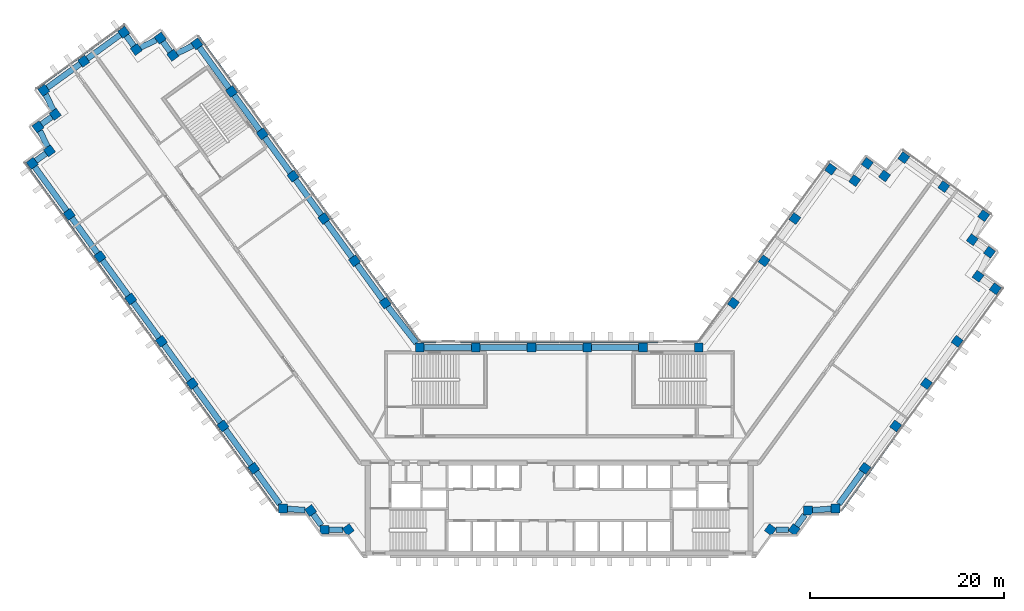
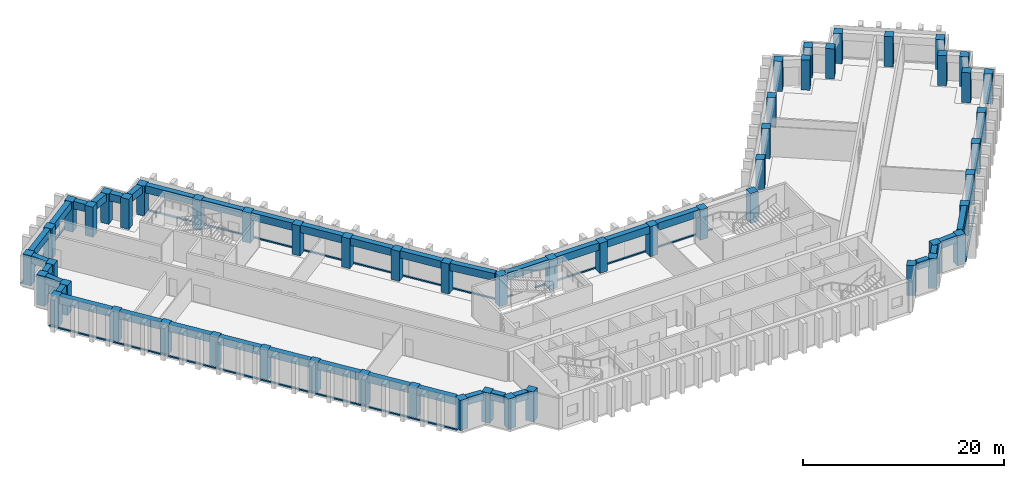
"""IFC4 building model written with IfcOpenShell, lengths in metres."""

from ifc_helpers import new_model, si_unit, direction, frame, origin, origin_2d, place, context, subcontext, project, spatial, rectangle, extrude, material, material_profile, profile_set, type_object, element, aggregate, save


model = new_model("IFC4")

# Units and contexts
model_context = context("Model", 3, precision=1e-05, world=origin(), true_north=direction((0.0, 1.0)))
body_context = subcontext(model_context, "Body", "Model", "MODEL_VIEW")
ifc_project = project(units=[si_unit("LENGTHUNIT", "METRE"), si_unit("AREAUNIT", "SQUARE_METRE"), si_unit("VOLUMEUNIT", "CUBIC_METRE"), si_unit("PLANEANGLEUNIT", "RADIAN"), si_unit("MASSUNIT", "GRAM", prefix="KILO")], contexts=[model_context])

# Site, building, storey
site_placement = place(None, origin())
site = spatial("IfcSite", under=ifc_project, at=site_placement, CompositionType="ELEMENT")
building_placement = place(site_placement, origin())
building = spatial("IfcBuilding", under=site, at=building_placement, Name="Quipu Civic Tower", CompositionType="ELEMENT")
storey_1_placement = place(building_placement, frame((0.0, 0.0, 117.0)))
storey_1 = spatial("IfcBuildingStorey", under=building, at=storey_1_placement, Name="L27", CompositionType="ELEMENT", Elevation=117.0)

# Columns
ifc_material_1 = material(Name="Concrete C60/75", Category="concrete")
ifc_material_profile_1 = material_profile(ifc_material_1, rectangle(XDim=0.89990234375, YDim=0.89990234375, at=origin_2d()), Name="RC900x900")
ifc_profile_set_1 = profile_set([ifc_material_profile_1], Name="Concrete C60/75")
column_type = type_object("IfcColumnType", Name="Perimeter column RC 900x900 C60/75", PredefinedType="COLUMN", material=ifc_profile_set_1)
for number, where, z_axis, x_axis, name in (
    (1, (-17.9736328125, 15.074951171875, 0.0), (0.0, 0.0, 1.0), (-0.587785252292, 0.809016994375, 0.0), "Column L27 W-IN-01"),
    (2, (-21.1474609375, 19.44384765625, 0.0), (0.0, 0.0, 1.0), (-0.587785252292, 0.809016994375, 0.0), "Column L27 W-IN-02"),
    (3, (-24.3212890625, 23.8125, 0.0), (0.0, 0.0, 1.0), (-0.587785252292, 0.809016994375, 0.0), "Column L27 W-IN-03"),
    (4, (-27.4951171875, 28.181396484375, 0.0), (0.0, 0.0, 1.0), (-0.587785252292, 0.809016994375, 0.0), "Column L27 W-IN-04"),
    (5, (-30.6689453125, 32.55029296875, 0.0), (0.0, 0.0, 1.0), (-0.587785252292, 0.809016994375, 0.0), "Column L27 W-IN-05"),
    (6, (-33.843017578125, 36.919189453125, 0.0), (0.0, 0.0, 1.0), (-0.587785252292, 0.809016994375, 0.0), "Column L27 W-IN-06"),
    (7, (-37.425048828125, 41.85009765625, 0.0), (0.0, 0.0, 1.0), (-0.587785252292, 0.809016994375, 0.0), "Column L27 T-Wi.0-W50"),
    (8, (-39.905517578125, 40.666015625, 0.0), (0.0, 0.0, 1.0), (-0.587785252292, 0.809016994375, 0.0), "Column L27 T-Wi.1-W50"),
    (9, (-41.199951171875, 42.445068359375, 0.0), (0.0, 0.0, 1.0), (-0.587785252292, 0.809016994375, 0.0), "Column L27 T-Wi.2-W50"),
    (10, (-43.674560546875, 41.264892578125, 0.0), (0.0, 0.0, 1.0), (-0.809016994375, -0.587785252292, 0.0), "Column L27 T-Wi.3-W50"),
    (11, (-44.969970703125, 43.044921875, 0.0), (0.0, 0.0, 1.0), (-0.809016994375, -0.587785252292, 0.0), "Column L27 T-Wi.4-W50"),
    (12, (-49.095703125, 40.046875, 0.0), (0.0, 0.0, 1.0), (-0.809016994375, -0.587785252292, 0.0), "Column L27 TIP-W-01-W50"),
    (13, (-53.219970703125, 37.050048828125, 0.0), (0.0, 0.0, 1.0), (0.587785252292, -0.809016994375, 0.0), "Column L27 T-Wo.0-W50"),
    (14, (-52.038818359375, 34.571044921875, 0.0), (0.0, 0.0, 1.0), (-0.809016994375, -0.587785252292, 0.0), "Column L27 T-Wo.1-W50"),
    (15, (-53.820068359375, 33.27490234375, 0.0), (0.0, 0.0, 1.0), (0.587785252292, -0.809016994375, 0.0), "Column L27 T-Wo.2-W50"),
    (16, (-52.635986328125, 30.799560546875, 0.0), (0.0, 0.0, 1.0), (-0.809016994375, -0.587785252292, 0.0), "Column L27 T-Wo.3-W50"),
    (17, (-54.4150390625, 29.5048828125, 0.0), (0.0, 0.0, 1.0), (0.587785252292, -0.809016994375, 0.0), "Column L27 T-Wo.4-W50"),
    (18, (-50.59228515625, 24.243408203125, 0.0), (0.0, 0.0, 1.0), (0.587785252292, -0.809016994375, 0.0), "Column L27 W-OUT-07"),
    (19, (-47.41845703125, 19.874755859375, 0.0), (0.0, 0.0, 1.0), (0.587785252292, -0.809016994375, 0.0), "Column L27 W-OUT-06"),
    (20, (-44.244384765625, 15.506103515625, 0.0), (0.0, 0.0, 1.0), (0.587785252292, -0.809016994375, 0.0), "Column L27 W-OUT-05"),
    (21, (-41.0703125, 11.137451171875, 0.0), (0.0, 0.0, 1.0), (0.587785252292, -0.809016994375, 0.0), "Column L27 W-OUT-04"),
    (22, (-37.896240234375, 6.768798828125, 0.0), (0.0, 0.0, 1.0), (0.587785252292, -0.809016994375, 0.0), "Column L27 W-OUT-03"),
    (23, (-34.722412109375, 2.39990234375, 0.0), (0.0, 0.0, 1.0), (0.587785252292, -0.809016994375, 0.0), "Column L27 W-OUT-02"),
    (24, (-31.54833984375, -1.96875, 0.0), (0.0, 0.0, 1.0), (0.587785252292, -0.809016994375, 0.0), "Column L27 W-OUT-01"),
    (25, (-28.52490234375, -6.1298828125, 0.0), (0.0, 0.0, 1.0), (1.0, 0.0, 0.0), "Column L27 J-Wo.0"),
    (26, (-25.67431640625, -6.3369140625, 0.0), (0.0, 0.0, 1.0), (0.587785252292, -0.809016994375, 0.0), "Column L27 J-Wo.1"),
    (27, (-24.235107421875, -8.31494140625, 0.0), (0.0, 0.0, 1.0), (1.0, 0.0, 0.0), "Column L27 J-Wo.2"),
    (28, (-21.791748046875, -8.31494140625, 0.0), (0.0, 0.0, 1.0), (0.587785252292, -0.809016994375, 0.0), "Column L27 J-Wo.3"),
    (29, (21.791748046875, -8.31494140625, 0.0), (0.0, 0.0, 1.0), (0.587785252292, 0.809016994375, 0.0), "Column L27 J-Eo.1"),
    (30, (24.235107421875, -8.31494140625, 0.0), (0.0, 0.0, 1.0), (0.587785252292, 0.809016994375, 0.0), "Column L27 J-Eo.2"),
    (31, (25.67431640625, -6.3369140625, 0.0), (0.0, 0.0, 1.0), (1.0, 0.0, 0.0), "Column L27 J-Eo.3"),
    (32, (28.52490234375, -6.1298828125, 0.0), (0.0, 0.0, 1.0), (1.0, 0.0, 0.0), "Column L27 J-Eo.4"),
    (33, (31.54833984375, -1.96875, 0.0), (0.0, 0.0, 1.0), (0.587785252292, 0.809016994375, 0.0), "Column L27 E-OUT-01"),
    (34, (34.722412109375, 2.39990234375, 0.0), (0.0, 0.0, 1.0), (0.587785252292, 0.809016994375, 0.0), "Column L27 E-OUT-02"),
    (35, (37.896240234375, 6.768798828125, 0.0), (0.0, 0.0, 1.0), (0.587785252292, 0.809016994375, 0.0), "Column L27 E-OUT-03"),
    (36, (41.0703125, 11.137451171875, 0.0), (0.0, 0.0, 1.0), (0.587785252292, 0.809016994375, 0.0), "Column L27 E-OUT-04"),
    (37, (45.010009765625, 16.56005859375, 0.0), (0.0, 0.0, 1.0), (0.587785252292, 0.809016994375, 0.0), "Column L27 T-Eo.0-E34"),
    (38, (43.23095703125, 17.8544921875, 0.0), (0.0, 0.0, 1.0), (0.587785252292, 0.809016994375, 0.0), "Column L27 T-Eo.1-E34"),
    (39, (44.4150390625, 20.3349609375, 0.0), (0.0, 0.0, 1.0), (0.587785252292, 0.809016994375, 0.0), "Column L27 T-Eo.2-E34"),
    (40, (42.635009765625, 21.626220703125, 0.0), (0.0, 0.0, 1.0), (-0.809016994375, 0.587785252292, 0.0), "Column L27 T-Eo.3-E34"),
    (41, (43.81494140625, 24.10498046875, 0.0), (0.0, 0.0, 1.0), (-0.809016994375, 0.587785252292, 0.0), "Column L27 T-Eo.4-E34"),
    (42, (39.690673828125, 27.10205078125, 0.0), (0.0, 0.0, 1.0), (-0.809016994375, 0.587785252292, 0.0), "Column L27 TIP-E-01-E34"),
    (43, (35.56494140625, 30.10009765625, 0.0), (0.0, 0.0, 1.0), (-0.587785252292, -0.809016994375, 0.0), "Column L27 T-Ei.0-E34"),
    (44, (33.573974609375, 28.20947265625, 0.0), (0.0, 0.0, 1.0), (-0.809016994375, 0.587785252292, 0.0), "Column L27 T-Ei.1-E34"),
    (45, (31.794921875, 29.5, 0.0), (0.0, 0.0, 1.0), (-0.587785252292, -0.809016994375, 0.0), "Column L27 T-Ei.2-E34"),
    (46, (30.498779296875, 27.72265625, 0.0), (0.0, 0.0, 1.0), (-0.809016994375, 0.587785252292, 0.0), "Column L27 T-Ei.3-E34"),
    (47, (28.02001953125, 28.905029296875, 0.0), (0.0, 0.0, 1.0), (-0.809016994375, 0.587785252292, 0.0), "Column L27 T-Ei.4-E34"),
    (48, (24.3212890625, 23.8125, 0.0), (0.0, 0.0, 1.0), (-0.587785252292, -0.809016994375, 0.0), "Column L27 E-IN-03"),
    (49, (21.1474609375, 19.44384765625, 0.0), (0.0, 0.0, 1.0), (-0.587785252292, -0.809016994375, 0.0), "Column L27 E-IN-02"),
    (50, (17.9736328125, 15.074951171875, 0.0), (0.0, 0.0, 1.0), (-0.587785252292, -0.809016994375, 0.0), "Column L27 E-IN-01"),
    (51, (14.395263671875, 10.5, 0.0), (0.0, 0.0, 1.0), (-1.0, 0.0, 0.0), "Column L27 J-Ei.0"),
    (52, (8.63720703125, 10.5, 0.0), (0.0, 0.0, 1.0), (-1.0, 0.0, 0.0), "Column L27 FRONT-01"),
    (53, (2.87890625, 10.5, 0.0), (0.0, 0.0, 1.0), (-1.0, 0.0, 0.0), "Column L27 FRONT-02"),
    (54, (-2.87890625, 10.5, 0.0), (0.0, 0.0, 1.0), (-1.0, 0.0, 0.0), "Column L27 FRONT-03"),
    (55, (-8.63720703125, 10.5, 0.0), (0.0, 0.0, 1.0), (-1.0, 0.0, 0.0), "Column L27 FRONT-04"),
    (56, (-14.395263671875, 10.5, 0.0), (0.0, 0.0, 1.0), (-1.0, 0.0, 0.0), "Column L27 J-Wi.0"),
):
    element("IfcColumn", number, at=place(storey_1_placement, frame(where, z_axis=z_axis, x_axis=x_axis)), inside=storey_1, type_object=column_type, Name=name, PredefinedType="COLUMN", context=body_context, shape_type="SweptSolid", body=[
        extrude(rectangle(XDim=0.89990234375, YDim=0.89990234375, at=origin_2d()), origin(), (0.0, 0.0, 1.0), 3.64990234375),
    ])

# Beams
ifc_material_2 = material(Name="Concrete C50/60", Category="concrete")
ifc_material_profile_2 = material_profile(ifc_material_2, rectangle(XDim=0.60009765625, YDim=0.89990234375, at=origin_2d()), Name="RC600x900")
ifc_profile_set_2 = profile_set([ifc_material_profile_2], Name="Concrete C50/60")
beam_type = type_object("IfcBeamType", Name="Spandrel beam RC 600x900 C50/60", PredefinedType="SPANDREL", material=ifc_profile_set_2)
for number, where, z_axis, x_axis, name in (
    (57, (-18.238037109375, 15.43896484375, 3.199951171875), (-0.587716763865, 0.809066749701, 0.0), (-0.809066749701, -0.587716763865, 0.0), "Spandrel beam L27 W-IN-01 to W-IN-02"),
    (58, (-21.411865234375, 19.807861328125, 3.199951171875), (-0.587778073121, 0.809022210299, 0.0), (-0.809022210299, -0.587778073121, 0.0), "Spandrel beam L27 W-IN-02 to W-IN-03"),
    (59, (-24.585693359375, 24.1767578125, 3.199951171875), (-0.587778073121, 0.809022210299, 0.0), (-0.809022210299, -0.587778073121, 0.0), "Spandrel beam L27 W-IN-03 to W-IN-04"),
    (60, (-27.759765625, 28.545654296875, 3.199951171875), (-0.587742561851, 0.809048009076, 0.0), (-0.809048009076, -0.587742561851, 0.0), "Spandrel beam L27 W-IN-04 to W-IN-05"),
    (61, (-30.93359375, 32.914306640625, 3.199951171875), (-0.587716763865, 0.809066749701, 0.0), (-0.809066749701, -0.587716763865, 0.0), "Spandrel beam L27 W-IN-05 to W-IN-06"),
):
    element("IfcBeam", number, at=place(storey_1_placement, frame(where, z_axis=z_axis, x_axis=x_axis)), inside=storey_1, type_object=beam_type, Name=name, PredefinedType="SPANDREL", context=body_context, shape_type="SweptSolid", body=[
        extrude(rectangle(XDim=0.60009765625, YDim=0.89990234375, at=origin_2d()), origin(), (0.0, 0.0, 1.0), 4.5),
    ])
beam_1_placement = place(storey_1_placement, frame((-34.107421875, 37.283203125, 3.199951171875), z_axis=(-0.587732861365, 0.80905505602, 0.0), x_axis=(-0.80905505602, -0.587732861365, 0.0)))
element("IfcBeam", 62, at=beam_1_placement, inside=storey_1, type_object=beam_type, Name="Spandrel beam L27 W-IN-06 to T-Wi.0-W50", PredefinedType="SPANDREL", context=body_context, shape_type="SweptSolid", body=[
    extrude(rectangle(XDim=0.60009765625, YDim=0.89990234375, at=origin_2d()), origin(), (0.0, 0.0, 1.0), 5.194580078125),
])
beam_2_placement = place(storey_1_placement, frame((-37.837890625, 41.65283203125, 3.199951171875), z_axis=(-0.90245397739, -0.430786279601, 0.0), x_axis=(0.430786279601, -0.90245397739, 0.0)))
element("IfcBeam", 63, at=beam_2_placement, inside=storey_1, type_object=beam_type, Name="Spandrel beam L27 T-Wi.0-W50 to T-Wi.1-W50", PredefinedType="SPANDREL", context=body_context, shape_type="SweptSolid", body=[
    extrude(rectangle(XDim=0.60009765625, YDim=0.89990234375, at=origin_2d()), origin(), (0.0, 0.0, 1.0), 1.83349609375),
])
beam_3_placement = place(storey_1_placement, frame((-40.170166015625, 41.02978515625, 3.199951171875), z_axis=(-0.588461937499, 0.808524921146, 0.0), x_axis=(-0.808524921146, -0.588461937499, 0.0)))
element("IfcBeam", 64, at=beam_3_placement, inside=storey_1, type_object=beam_type, Name="Spandrel beam L27 T-Wi.1-W50 to T-Wi.2-W50", PredefinedType="SPANDREL", context=body_context, shape_type="SweptSolid", body=[
    extrude(rectangle(XDim=0.60009765625, YDim=0.89990234375, at=origin_2d()), origin(), (0.0, 0.0, 1.0), 1.30029296875),
])
beam_4_placement = place(storey_1_placement, frame((-41.613037109375, 42.248046875, 3.199951171875), z_axis=(-0.902613270121, -0.430452418511, 0.0), x_axis=(0.430452418511, -0.902613270121, 0.0)))
element("IfcBeam", 65, at=beam_4_placement, inside=storey_1, type_object=beam_type, Name="Spandrel beam L27 T-Wi.2-W50 to T-Wi.3-W50", PredefinedType="SPANDREL", context=body_context, shape_type="SweptSolid", body=[
    extrude(rectangle(XDim=0.60009765625, YDim=0.89990234375, at=origin_2d()), origin(), (0.0, 0.0, 1.0), 1.826416015625),
])
beam_5_placement = place(storey_1_placement, frame((-43.939453125, 41.628662109375, 3.199951171875), z_axis=(-0.588383572423, 0.808581951136, 0.0), x_axis=(-0.808581951136, -0.588383572423, 0.0)))
element("IfcBeam", 66, at=beam_5_placement, inside=storey_1, type_object=beam_type, Name="Spandrel beam L27 T-Wi.3-W50 to T-Wi.4-W50", PredefinedType="SPANDREL", context=body_context, shape_type="SweptSolid", body=[
    extrude(rectangle(XDim=0.60009765625, YDim=0.89990234375, at=origin_2d()), origin(), (0.0, 0.0, 1.0), 1.3017578125),
])
beam_6_placement = place(storey_1_placement, frame((-45.333984375, 42.780517578125, 3.199951171875), z_axis=(-0.808969789945, -0.58785021813, 0.0), x_axis=(0.58785021813, -0.808969789945, 0.0)))
element("IfcBeam", 67, at=beam_6_placement, inside=storey_1, type_object=beam_type, Name="Spandrel beam L27 T-Wi.4-W50 to TIP-W-01-W50", PredefinedType="SPANDREL", context=body_context, shape_type="SweptSolid", body=[
    extrude(rectangle(XDim=0.60009765625, YDim=0.89990234375, at=origin_2d()), origin(), (0.0, 0.0, 1.0), 4.199951171875),
])
beam_7_placement = place(storey_1_placement, frame((-49.459716796875, 39.782470703125, 3.199951171875), z_axis=(-0.808959834407, -0.587863918196, 0.0), x_axis=(0.587863918196, -0.808959834407, 0.0)))
element("IfcBeam", 68, at=beam_7_placement, inside=storey_1, type_object=beam_type, Name="Spandrel beam L27 TIP-W-01-W50 to T-Wo.0-W50", PredefinedType="SPANDREL", context=body_context, shape_type="SweptSolid", body=[
    extrude(rectangle(XDim=0.60009765625, YDim=0.89990234375, at=origin_2d()), origin(), (0.0, 0.0, 1.0), 4.1982421875),
])
beam_8_placement = place(storey_1_placement, frame((-53.023193359375, 36.63671875, 3.199951171875), z_axis=(0.430166558323, -0.902749540072, 0.0), x_axis=(0.902749540072, 0.430166558323, 0.0)))
element("IfcBeam", 69, at=beam_8_placement, inside=storey_1, type_object=beam_type, Name="Spandrel beam L27 T-Wo.0-W50 to T-Wo.1-W50", PredefinedType="SPANDREL", context=body_context, shape_type="SweptSolid", body=[
    extrude(rectangle(XDim=0.60009765625, YDim=0.89990234375, at=origin_2d()), origin(), (0.0, 0.0, 1.0), 1.830322265625),
])
beam_9_placement = place(storey_1_placement, frame((-52.40283203125, 34.306396484375, 3.199951171875), z_axis=(-0.808509099783, -0.588483674853, 0.0), x_axis=(0.588483674853, -0.808509099783, 0.0)))
element("IfcBeam", 70, at=beam_9_placement, inside=storey_1, type_object=beam_type, Name="Spandrel beam L27 T-Wo.1-W50 to T-Wo.2-W50", PredefinedType="SPANDREL", context=body_context, shape_type="SweptSolid", body=[
    extrude(rectangle(XDim=0.60009765625, YDim=0.89990234375, at=origin_2d()), origin(), (0.0, 0.0, 1.0), 1.302734375),
])
beam_10_placement = place(storey_1_placement, frame((-53.62255859375, 32.8623046875, 3.199951171875), z_axis=(0.431446050156, -0.902138739776, 0.0), x_axis=(0.902138739776, 0.431446050156, 0.0)))
element("IfcBeam", 71, at=beam_10_placement, inside=storey_1, type_object=beam_type, Name="Spandrel beam L27 T-Wo.2-W50 to T-Wo.3-W50", PredefinedType="SPANDREL", context=body_context, shape_type="SweptSolid", body=[
    extrude(rectangle(XDim=0.60009765625, YDim=0.89990234375, at=origin_2d()), origin(), (0.0, 0.0, 1.0), 1.828857421875),
])
beam_11_placement = place(storey_1_placement, frame((-53.0, 30.53466796875, 3.199951171875), z_axis=(-0.808549242423, -0.588428519514, 0.0), x_axis=(0.588428519514, -0.808549242423, 0.0)))
element("IfcBeam", 72, at=beam_11_placement, inside=storey_1, type_object=beam_type, Name="Spandrel beam L27 T-Wo.3-W50 to T-Wo.4-W50", PredefinedType="SPANDREL", context=body_context, shape_type="SweptSolid", body=[
    extrude(rectangle(XDim=0.60009765625, YDim=0.89990234375, at=origin_2d()), origin(), (0.0, 0.0, 1.0), 1.2998046875),
])
beam_12_placement = place(storey_1_placement, frame((-54.150390625, 29.140869140625, 3.199951171875), z_axis=(0.587772657145, -0.809026145135, 0.0), x_axis=(0.809026145135, 0.587772657145, 0.0)))
element("IfcBeam", 73, at=beam_12_placement, inside=storey_1, type_object=beam_type, Name="Spandrel beam L27 T-Wo.4-W50 to W-OUT-07", PredefinedType="SPANDREL", context=body_context, shape_type="SweptSolid", body=[
    extrude(rectangle(XDim=0.60009765625, YDim=0.89990234375, at=origin_2d()), origin(), (0.0, 0.0, 1.0), 5.603271484375),
])
beam_13_placement = place(storey_1_placement, frame((-50.327880859375, 23.87939453125, 3.199951171875), z_axis=(0.587778073121, -0.809022210299, 0.0), x_axis=(0.809022210299, 0.587778073121, 0.0)))
element("IfcBeam", 74, at=beam_13_placement, inside=storey_1, type_object=beam_type, Name="Spandrel beam L27 W-OUT-07 to W-OUT-06", PredefinedType="SPANDREL", context=body_context, shape_type="SweptSolid", body=[
    extrude(rectangle(XDim=0.60009765625, YDim=0.89990234375, at=origin_2d()), origin(), (0.0, 0.0, 1.0), 4.5),
])
beam_14_placement = place(storey_1_placement, frame((-47.15380859375, 19.5107421875, 3.199951171875), z_axis=(0.587803872688, -0.809003465539, 0.0), x_axis=(0.809003465539, 0.587803872688, 0.0)))
element("IfcBeam", 75, at=beam_14_placement, inside=storey_1, type_object=beam_type, Name="Spandrel beam L27 W-OUT-06 to W-OUT-05", PredefinedType="SPANDREL", context=body_context, shape_type="SweptSolid", body=[
    extrude(rectangle(XDim=0.60009765625, YDim=0.89990234375, at=origin_2d()), origin(), (0.0, 0.0, 1.0), 4.499755859375),
])
for number, where, z_axis, x_axis, name in (
    (76, (-43.97998046875, 15.14208984375, 3.199951171875), (0.587778073121, -0.809022210299, 0.0), (0.809022210299, 0.587778073121, 0.0), "Spandrel beam L27 W-OUT-05 to W-OUT-04"),
    (77, (-40.805908203125, 10.7734375, 3.199951171875), (0.587778073121, -0.809022210299, 0.0), (0.809022210299, 0.587778073121, 0.0), "Spandrel beam L27 W-OUT-04 to W-OUT-03"),
):
    element("IfcBeam", number, at=place(storey_1_placement, frame(where, z_axis=z_axis, x_axis=x_axis)), inside=storey_1, type_object=beam_type, Name=name, PredefinedType="SPANDREL", context=body_context, shape_type="SweptSolid", body=[
        extrude(rectangle(XDim=0.60009765625, YDim=0.89990234375, at=origin_2d()), origin(), (0.0, 0.0, 1.0), 4.5),
    ])
beam_15_placement = place(storey_1_placement, frame((-37.6318359375, 6.404541015625, 3.199951171875), z_axis=(0.587803872688, -0.809003465539, 0.0), x_axis=(0.809003465539, 0.587803872688, 0.0)))
element("IfcBeam", 78, at=beam_15_placement, inside=storey_1, type_object=beam_type, Name="Spandrel beam L27 W-OUT-03 to W-OUT-02", PredefinedType="SPANDREL", context=body_context, shape_type="SweptSolid", body=[
    extrude(rectangle(XDim=0.60009765625, YDim=0.89990234375, at=origin_2d()), origin(), (0.0, 0.0, 1.0), 4.499755859375),
])
beam_16_placement = place(storey_1_placement, frame((-34.457763671875, 2.035888671875, 3.199951171875), z_axis=(0.587778073121, -0.809022210299, 0.0), x_axis=(0.809022210299, 0.587778073121, 0.0)))
element("IfcBeam", 79, at=beam_16_placement, inside=storey_1, type_object=beam_type, Name="Spandrel beam L27 W-OUT-02 to W-OUT-01", PredefinedType="SPANDREL", context=body_context, shape_type="SweptSolid", body=[
    extrude(rectangle(XDim=0.60009765625, YDim=0.89990234375, at=origin_2d()), origin(), (0.0, 0.0, 1.0), 4.5),
])
beam_17_placement = place(storey_1_placement, frame((-31.28369140625, -2.332763671875, 3.199951171875), z_axis=(0.587750565781, -0.809042194464, 0.0), x_axis=(0.809042194464, 0.587750565781, 0.0)))
element("IfcBeam", 80, at=beam_17_placement, inside=storey_1, type_object=beam_type, Name="Spandrel beam L27 W-OUT-01 to J-Wo.0", PredefinedType="SPANDREL", context=body_context, shape_type="SweptSolid", body=[
    extrude(rectangle(XDim=0.60009765625, YDim=0.89990234375, at=origin_2d()), origin(), (0.0, 0.0, 1.0), 4.13720703125),
])
beam_18_placement = place(storey_1_placement, frame((-28.074951171875, -6.16259765625, 3.199951171875), z_axis=(0.997367229877, -0.072516265536, 0.0), x_axis=(0.072516265536, 0.997367229877, 0.0)))
element("IfcBeam", 81, at=beam_18_placement, inside=storey_1, type_object=beam_type, Name="Spandrel beam L27 J-Wo.0 to J-Wo.1", PredefinedType="SPANDREL", context=body_context, shape_type="SweptSolid", body=[
    extrude(rectangle(XDim=0.60009765625, YDim=0.89990234375, at=origin_2d()), origin(), (0.0, 0.0, 1.0), 1.818115234375),
])
beam_19_placement = place(storey_1_placement, frame((-25.40966796875, -6.700927734375, 3.199951171875), z_axis=(0.588433824377, -0.808545381738, 0.0), x_axis=(0.808545381738, 0.588433824377, 0.0)))
element("IfcBeam", 82, at=beam_19_placement, inside=storey_1, type_object=beam_type, Name="Spandrel beam L27 J-Wo.1 to J-Wo.2", PredefinedType="SPANDREL", context=body_context, shape_type="SweptSolid", body=[
    extrude(rectangle(XDim=0.60009765625, YDim=0.89990234375, at=origin_2d()), origin(), (0.0, 0.0, 1.0), 1.439697265625),
])
beam_20_placement = place(storey_1_placement, frame((-23.784912109375, -8.31494140625, 3.199951171875), z_axis=(1.0, 0.0, 0.0), x_axis=(0.0, 1.0, 0.0)))
element("IfcBeam", 83, at=beam_20_placement, inside=storey_1, type_object=beam_type, Name="Spandrel beam L27 J-Wo.2 to J-Wo.3", PredefinedType="SPANDREL", context=body_context, shape_type="SweptSolid", body=[
    extrude(rectangle(XDim=0.60009765625, YDim=0.89990234375, at=origin_2d()), origin(), (0.0, 0.0, 1.0), 1.436767578125),
])
beam_21_placement = place(storey_1_placement, frame((22.34814453125, -8.31494140625, 3.199951171875), z_axis=(1.0, 0.0, 0.0), x_axis=(0.0, 1.0, 0.0)))
element("IfcBeam", 84, at=beam_21_placement, inside=storey_1, type_object=beam_type, Name="Spandrel beam L27 J-Eo.1 to J-Eo.2", PredefinedType="SPANDREL", context=body_context, shape_type="SweptSolid", body=[
    extrude(rectangle(XDim=0.60009765625, YDim=0.89990234375, at=origin_2d()), origin(), (0.0, 0.0, 1.0), 1.33056640625),
])
beam_22_placement = place(storey_1_placement, frame((24.499755859375, -7.951171875, 3.199951171875), z_axis=(0.588433824377, 0.808545381738, 0.0), x_axis=(-0.808545381738, 0.588433824377, 0.0)))
element("IfcBeam", 85, at=beam_22_placement, inside=storey_1, type_object=beam_type, Name="Spandrel beam L27 J-Eo.2 to J-Eo.3", PredefinedType="SPANDREL", context=body_context, shape_type="SweptSolid", body=[
    extrude(rectangle(XDim=0.60009765625, YDim=0.89990234375, at=origin_2d()), origin(), (0.0, 0.0, 1.0), 1.439697265625),
])
beam_23_placement = place(storey_1_placement, frame((26.12451171875, -6.304443359375, 3.199951171875), z_axis=(0.997365981169, 0.072533437859, 0.0), x_axis=(-0.072533437859, 0.997365981169, 0.0)))
element("IfcBeam", 86, at=beam_23_placement, inside=storey_1, type_object=beam_type, Name="Spandrel beam L27 J-Eo.3 to J-Eo.4", PredefinedType="SPANDREL", context=body_context, shape_type="SweptSolid", body=[
    extrude(rectangle(XDim=0.60009765625, YDim=0.89990234375, at=origin_2d()), origin(), (0.0, 0.0, 1.0), 1.95556640625),
])
beam_24_placement = place(storey_1_placement, frame((28.85205078125, -5.679931640625, 3.199951171875), z_axis=(0.587750565781, 0.809042194464, 0.0), x_axis=(-0.809042194464, 0.587750565781, 0.0)))
element("IfcBeam", 87, at=beam_24_placement, inside=storey_1, type_object=beam_type, Name="Spandrel beam L27 J-Eo.4 to E-OUT-01", PredefinedType="SPANDREL", context=body_context, shape_type="SweptSolid", body=[
    extrude(rectangle(XDim=0.60009765625, YDim=0.89990234375, at=origin_2d()), origin(), (0.0, 0.0, 1.0), 4.13720703125),
])
for number, where, z_axis, x_axis, name in (
    (88, (8.18701171875, 10.5, 3.199951171875), (-1.0, 0.0, 0.0), (0.0, -1.0, 0.0), "Spandrel beam L27 FRONT-01 to FRONT-02"),
    (89, (2.428955078125, 10.5, 3.199951171875), (-1.0, 0.0, 0.0), (0.0, -1.0, 0.0), "Spandrel beam L27 FRONT-02 to FRONT-03"),
    (90, (-3.3291015625, 10.5, 3.199951171875), (-1.0, 0.0, 0.0), (0.0, -1.0, 0.0), "Spandrel beam L27 FRONT-03 to FRONT-04"),
):
    element("IfcBeam", number, at=place(storey_1_placement, frame(where, z_axis=z_axis, x_axis=x_axis)), inside=storey_1, type_object=beam_type, Name=name, PredefinedType="SPANDREL", context=body_context, shape_type="SweptSolid", body=[
        extrude(rectangle(XDim=0.60009765625, YDim=0.89990234375, at=origin_2d()), origin(), (0.0, 0.0, 1.0), 4.85791015625),
    ])
beam_25_placement = place(storey_1_placement, frame((-9.087158203125, 10.5, 3.199951171875), z_axis=(-1.0, 0.0, 0.0), x_axis=(0.0, -1.0, 0.0)))
element("IfcBeam", 91, at=beam_25_placement, inside=storey_1, type_object=beam_type, Name="Spandrel beam L27 FRONT-04 to J-Wi.0", PredefinedType="SPANDREL", context=body_context, shape_type="SweptSolid", body=[
    extrude(rectangle(XDim=0.60009765625, YDim=0.89990234375, at=origin_2d()), origin(), (0.0, 0.0, 1.0), 4.858154296875),
])
beam_26_placement = place(storey_1_placement, frame((-14.7470703125, 10.949951171875, 3.199951171875), z_axis=(-0.616123961998, 0.787649200756, 0.0), x_axis=(-0.787649200756, -0.616123961998, 0.0)))
element("IfcBeam", 92, at=beam_26_placement, inside=storey_1, type_object=beam_type, Name="Spandrel beam L27 J-Wi.0 to W-IN-01", PredefinedType="SPANDREL", context=body_context, shape_type="SweptSolid", body=[
    extrude(rectangle(XDim=0.60009765625, YDim=0.89990234375, at=origin_2d()), origin(), (0.0, 0.0, 1.0), 4.78662109375),
])

# Storey
storey_2_placement = place(building_placement, frame((0.0, 0.0, 113.0)))
storey_2 = spatial("IfcBuildingStorey", under=building, at=storey_2_placement, Name="L26", CompositionType="ELEMENT", Elevation=113.0)

# Curtain wall, members
ifc_material_3 = material(Name="Insulated glass unit", Category="glass")
curtain_wall_type = type_object("IfcCurtainWallType", Name="Office curtain wall CW1", PredefinedType="NOTDEFINED", material=ifc_material_3)
curtain_wall_1_placement = place(storey_2_placement, origin())
curtain_wall_1 = element("IfcCurtainWall", 93, at=curtain_wall_1_placement, inside=storey_2, type_object=curtain_wall_type, Name="Office curtain wall CW1 L25 run 1", PredefinedType="NOTDEFINED")
ifc_material_4 = material(Name="Anodised aluminium", Category="aluminium")
ifc_material_profile_3 = material_profile(ifc_material_4, rectangle(XDim=0.199951171875, YDim=0.159912109375, at=origin_2d()), Name="RECT 200x160")
ifc_profile_set_3 = profile_set([ifc_material_profile_3], Name="Anodised aluminium")
member_type = type_object("IfcMemberType", Name="Transom CW1", PredefinedType="USERDEFINED", material=ifc_profile_set_3)
member_1_placement = place(storey_1_placement, frame((-14.39111328125, 11.164794921875, 0.080078125), z_axis=(-0.58779220199, 0.809011945079, 0.0), x_axis=(-0.809011945079, -0.58779220199, 0.0)))
member_1 = element("IfcMember", 94, at=member_1_placement, inside=storey_1, type_object=member_type, Name="CW1 transom 1.3", ObjectType="TRANSOM", PredefinedType="USERDEFINED", context=body_context, shape_type="SweptSolid", body=[
    extrude(rectangle(XDim=0.199951171875, YDim=0.159912109375, at=origin_2d()), origin(), (0.0, 0.0, 1.0), 9.64111328125),
])
member_2_placement = place(storey_1_placement, frame((-20.105224609375, 19.029296875, 0.080078125), z_axis=(-0.587793764301, 0.80901080997, 0.0), x_axis=(-0.80901080997, -0.587793764301, 0.0)))
member_2 = element("IfcMember", 95, at=member_2_placement, inside=storey_1, type_object=member_type, Name="CW1 transom 2.3", ObjectType="TRANSOM", PredefinedType="USERDEFINED", context=body_context, shape_type="SweptSolid", body=[
    extrude(rectangle(XDim=0.199951171875, YDim=0.159912109375, at=origin_2d()), origin(), (0.0, 0.0, 1.0), 9.680908203125),
])
member_3_placement = place(storey_1_placement, frame((-25.842529296875, 26.926025390625, 0.080078125), z_axis=(-0.58778177227, 0.809019522748, 0.0), x_axis=(-0.809019522748, -0.58778177227, 0.0)))
member_3 = element("IfcMember", 96, at=member_3_placement, inside=storey_1, type_object=member_type, Name="CW1 transom 3.3", ObjectType="TRANSOM", PredefinedType="USERDEFINED", context=body_context, shape_type="SweptSolid", body=[
    extrude(rectangle(XDim=0.199951171875, YDim=0.159912109375, at=origin_2d()), origin(), (0.0, 0.0, 1.0), 9.68115234375),
])
member_4_placement = place(storey_1_placement, frame((-31.580078125, 34.822998046875, 0.080078125), z_axis=(-0.587775627857, 0.809023986849, 0.0), x_axis=(-0.809023986849, -0.587775627857, 0.0)))
member_4 = element("IfcMember", 97, at=member_4_placement, inside=storey_1, type_object=member_type, Name="CW1 transom 4.3", ObjectType="TRANSOM", PredefinedType="USERDEFINED", context=body_context, shape_type="SweptSolid", body=[
    extrude(rectangle(XDim=0.199951171875, YDim=0.159912109375, at=origin_2d()), origin(), (0.0, 0.0, 1.0), 9.64111328125),
])
aggregate(curtain_wall_1, [member_1, member_2, member_3, member_4])

# Curtain wall, member
curtain_wall_2_placement = place(storey_2_placement, origin())
curtain_wall_2 = element("IfcCurtainWall", 98, at=curtain_wall_2_placement, inside=storey_2, type_object=curtain_wall_type, Name="Office curtain wall CW1 L25 run 6", PredefinedType="NOTDEFINED")
member_5_placement = place(storey_1_placement, frame((-44.9013671875, 43.8349609375, 0.080078125), z_axis=(-0.809032792449, -0.587763507495, 0.0), x_axis=(0.587763507495, -0.809032792449, 0.0)))
member_5 = element("IfcMember", 99, at=member_5_placement, inside=storey_1, type_object=member_type, Name="CW1 transom 1.3", ObjectType="TRANSOM", PredefinedType="USERDEFINED", context=body_context, shape_type="SweptSolid", body=[
    extrude(rectangle(XDim=0.199951171875, YDim=0.159912109375, at=origin_2d()), origin(), (0.0, 0.0, 1.0), 11.239990234375),
])
aggregate(curtain_wall_2, [member_5])

# Curtain wall, members
curtain_wall_3_placement = place(storey_2_placement, origin())
curtain_wall_3 = element("IfcCurtainWall", 100, at=curtain_wall_3_placement, inside=storey_2, type_object=curtain_wall_type, Name="Office curtain wall CW1 L25 run 11", PredefinedType="NOTDEFINED")
member_6_placement = place(storey_1_placement, frame((-55.20703125, 29.573974609375, 0.080078125), z_axis=(0.587779179422, -0.809021406539, 0.0), x_axis=(0.809021406539, 0.587779179422, 0.0)))
member_6 = element("IfcMember", 101, at=member_6_placement, inside=storey_1, type_object=member_type, Name="CW1 transom 1.3", ObjectType="TRANSOM", PredefinedType="USERDEFINED", context=body_context, shape_type="SweptSolid", body=[
    extrude(rectangle(XDim=0.199951171875, YDim=0.159912109375, at=origin_2d()), origin(), (0.0, 0.0, 1.0), 11.02294921875),
])
member_7_placement = place(storey_1_placement, frame((-48.68115234375, 20.591552734375, 0.080078125), z_axis=(0.587795037589, -0.80900988485, 0.0), x_axis=(0.80900988485, 0.587795037589, 0.0)))
member_7 = element("IfcMember", 102, at=member_7_placement, inside=storey_1, type_object=member_type, Name="CW1 transom 2.3", ObjectType="TRANSOM", PredefinedType="USERDEFINED", context=body_context, shape_type="SweptSolid", body=[
    extrude(rectangle(XDim=0.199951171875, YDim=0.159912109375, at=origin_2d()), origin(), (0.0, 0.0, 1.0), 11.062744140625),
])
member_8_placement = place(storey_1_placement, frame((-42.131591796875, 11.576904296875, 0.080078125), z_axis=(0.587795037589, -0.80900988485, 0.0), x_axis=(0.80900988485, 0.587795037589, 0.0)))
member_8 = element("IfcMember", 103, at=member_8_placement, inside=storey_1, type_object=member_type, Name="CW1 transom 3.3", ObjectType="TRANSOM", PredefinedType="USERDEFINED", context=body_context, shape_type="SweptSolid", body=[
    extrude(rectangle(XDim=0.199951171875, YDim=0.159912109375, at=origin_2d()), origin(), (0.0, 0.0, 1.0), 11.062744140625),
])
member_9_placement = place(storey_1_placement, frame((-35.58203125, 2.562255859375, 0.080078125), z_axis=(0.587779179422, -0.809021406539, 0.0), x_axis=(0.809021406539, 0.587779179422, 0.0)))
member_9 = element("IfcMember", 104, at=member_9_placement, inside=storey_1, type_object=member_type, Name="CW1 transom 4.3", ObjectType="TRANSOM", PredefinedType="USERDEFINED", context=body_context, shape_type="SweptSolid", body=[
    extrude(rectangle(XDim=0.199951171875, YDim=0.159912109375, at=origin_2d()), origin(), (0.0, 0.0, 1.0), 11.02294921875),
])
aggregate(curtain_wall_3, [member_6, member_7, member_8, member_9])

# Curtain wall, member
curtain_wall_4_placement = place(storey_2_placement, origin())
curtain_wall_4 = element("IfcCurtainWall", 105, at=curtain_wall_4_placement, inside=storey_2, type_object=curtain_wall_type, Name="Office curtain wall CW1 L25 run 23", PredefinedType="NOTDEFINED")
member_10_placement = place(storey_1_placement, frame((29.10302734375, -6.35546875, 0.080078125), z_axis=(0.58777644589, 0.809023392528, 0.0), x_axis=(-0.809023392528, 0.58777644589, 0.0)))
member_10 = element("IfcMember", 106, at=member_10_placement, inside=storey_1, type_object=member_type, Name="CW1 transom 1.3", ObjectType="TRANSOM", PredefinedType="USERDEFINED", context=body_context, shape_type="SweptSolid", body=[
    extrude(rectangle(XDim=0.199951171875, YDim=0.159912109375, at=origin_2d()), origin(), (0.0, 0.0, 1.0), 9.40380859375),
])
aggregate(curtain_wall_4, [member_10])

# Curtain wall, members
curtain_wall_5_placement = place(storey_2_placement, origin())
curtain_wall_5 = element("IfcCurtainWall", 107, at=curtain_wall_5_placement, inside=storey_2, type_object=curtain_wall_type, Name="Office curtain wall CW1 L25 run 33", PredefinedType="NOTDEFINED")
member_11_placement = place(storey_1_placement, frame((10.18359375, 11.10009765625, 0.080078125), z_axis=(-1.0, 0.0, 0.0), x_axis=(0.0, -1.0, 0.0)))
member_11 = element("IfcMember", 108, at=member_11_placement, inside=storey_1, type_object=member_type, Name="CW1 transom 1.3", ObjectType="TRANSOM", PredefinedType="USERDEFINED", context=body_context, shape_type="SweptSolid", body=[
    extrude(rectangle(XDim=0.199951171875, YDim=0.159912109375, at=origin_2d()), origin(), (0.0, 0.0, 1.0), 10.1435546875),
])
member_12_placement = place(storey_1_placement, frame((-0.0400390625, 11.10009765625, 0.080078125), z_axis=(-1.0, 0.0, 0.0), x_axis=(0.0, -1.0, 0.0)))
member_12 = element("IfcMember", 109, at=member_12_placement, inside=storey_1, type_object=member_type, Name="CW1 transom 2.3", ObjectType="TRANSOM", PredefinedType="USERDEFINED", context=body_context, shape_type="SweptSolid", body=[
    extrude(rectangle(XDim=0.199951171875, YDim=0.159912109375, at=origin_2d()), origin(), (0.0, 0.0, 1.0), 10.1435546875),
])
aggregate(curtain_wall_5, [member_11, member_12])

# Curtain wall, member
curtain_wall_6_placement = place(storey_2_placement, origin())
curtain_wall_6 = element("IfcCurtainWall", 110, at=curtain_wall_6_placement, inside=storey_2, type_object=curtain_wall_type, Name="Office curtain wall CW1 L25 run 35", PredefinedType="NOTDEFINED")
member_13_placement = place(storey_1_placement, frame((-12.735107421875, 11.10009765625, 0.080078125), z_axis=(-1.0, 0.0, 0.0), x_axis=(0.0, -1.0, 0.0)))
member_13 = element("IfcMember", 111, at=member_13_placement, inside=storey_1, type_object=member_type, Name="CW1 transom 1.3", ObjectType="TRANSOM", PredefinedType="USERDEFINED", context=body_context, shape_type="SweptSolid", body=[
    extrude(rectangle(XDim=0.199951171875, YDim=0.159912109375, at=origin_2d()), origin(), (0.0, 0.0, 1.0), 1.529052734375),
])
aggregate(curtain_wall_6, [member_13])

save(model, "model.ifc")
